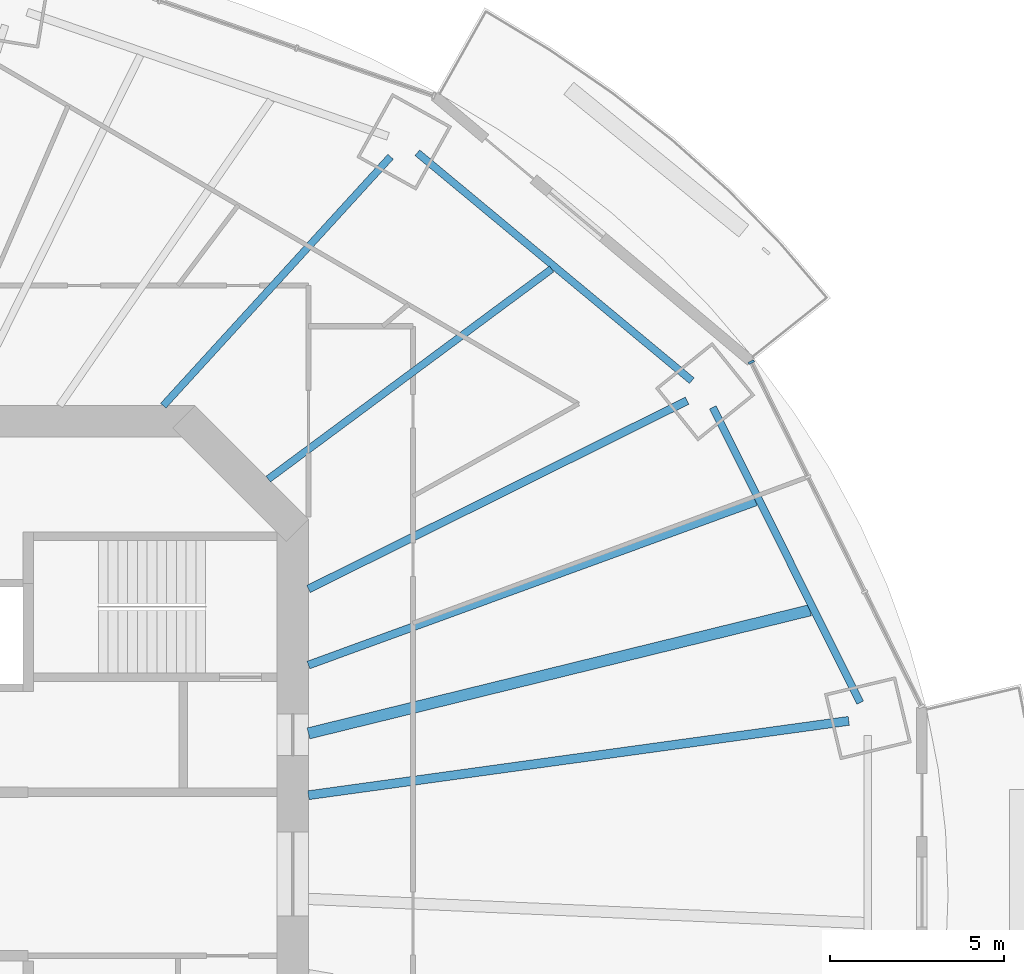
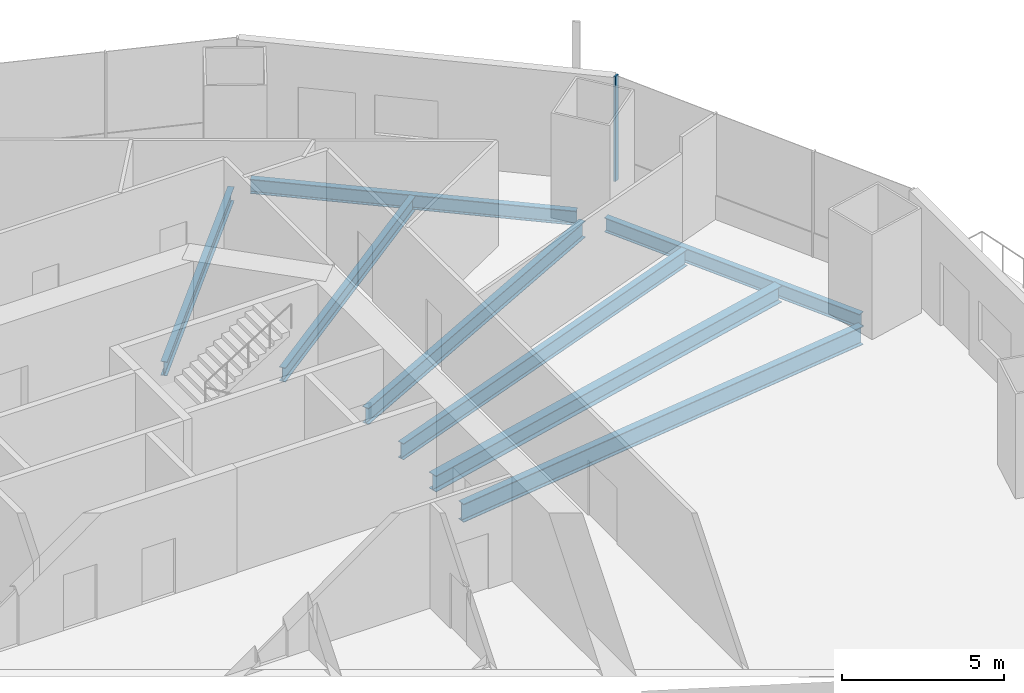
# One storey, part 8 of 21: 8 beams, 1 member, 1 element without a shape of its own.
"""IFC4 building model written with IfcOpenShell, lengths in metres."""

from ifc_helpers import new_model, si_unit, direction, frame, origin, origin_2d, place, context, subcontext, project, spatial, rectangle, i_section, extrude, material, material_profile, profile_set, type_object, element, aggregate, save


model = new_model("IFC4")

# Units and contexts
model_context = context("Model", 3, precision=1e-05, world=origin(), true_north=direction((0.0, 1.0)))
body_context = subcontext(model_context, "Body", "Model", "MODEL_VIEW")
ifc_project = project(units=[si_unit("LENGTHUNIT", "METRE"), si_unit("AREAUNIT", "SQUARE_METRE"), si_unit("VOLUMEUNIT", "CUBIC_METRE"), si_unit("PLANEANGLEUNIT", "RADIAN"), si_unit("MASSUNIT", "GRAM", prefix="KILO")], contexts=[model_context])

# Site, building, storey
site_placement = place(None, origin())
site = spatial("IfcSite", under=ifc_project, at=site_placement, CompositionType="ELEMENT")
building_placement = place(site_placement, origin())
building = spatial("IfcBuilding", under=site, at=building_placement, Name="Marenthal Gate Tower", CompositionType="ELEMENT")
storey_placement = place(building_placement, frame((0.0, 0.0, 161.050048828125)))
storey = spatial("IfcBuildingStorey", under=building, at=storey_placement, Name="L34", CompositionType="ELEMENT", Elevation=161.050048828125)

# Curtain wall, member
ifc_material_1 = material(Name="Aluminium and glass", Category="aluminium")
curtain_wall_type = type_object("IfcCurtainWallType", Name="Curtain wall typical mid", PredefinedType="NOTDEFINED", material=ifc_material_1)
curtain_wall_placement = place(storey_placement, origin())
curtain_wall = element("IfcCurtainWall", 1, at=curtain_wall_placement, inside=storey, type_object=curtain_wall_type, Name="Curtain wall L34 bay 1", PredefinedType="NOTDEFINED")
ifc_material_2 = material(Name="Aluminium", Category="aluminium")
ifc_material_profile_1 = material_profile(ifc_material_2, rectangle(XDim=0.179931640625, YDim=0.06005859375, at=origin_2d()), Name="60x180 aluminium mullion")
ifc_profile_set_1 = profile_set([ifc_material_profile_1], Name="Aluminium")
member_type = type_object("IfcMemberType", Name="Mullion 60x180 typical mid", PredefinedType="MULLION", material=ifc_profile_set_1)
member_placement = place(storey_placement, frame((29.167724609375, 14.702392578125, 0.0), z_axis=(0.0, 0.0, 1.0), x_axis=(-0.896608747182, -0.442823615536, 0.0)))
member = element("IfcMember", 2, at=member_placement, type_object=member_type, Name="Mullion L34 bay 1.4", PredefinedType="MULLION", context=body_context, shape_type="SweptSolid", body=[
    extrude(rectangle(XDim=0.179931640625, YDim=0.06005859375, at=origin_2d()), origin(), (0.0, 0.0, 1.0), 3.969970703125),
])
aggregate(curtain_wall, [member])

# Beams
ifc_material_3 = material(Name="Steel S355", Category="steel")
ifc_material_profile_2 = material_profile(ifc_material_3, i_section(OverallWidth=0.2099609375, OverallDepth=0.535888671875, WebThickness=0.010986328125, FlangeThickness=0.017333984375, FilletRadius=0.0126953125, at=origin_2d()), Name="W530X101")
ifc_profile_set_2 = profile_set([ifc_material_profile_2], Name="Steel S355")
beam_type_1 = type_object("IfcBeamType", Name="W530X101 beam", PredefinedType="BEAM", material=ifc_profile_set_2)
beam_1_placement = place(storey_placement, frame((18.809326171875, 20.600341796875, -0.447998046875), z_axis=(-0.674280125506, -0.738475668081, 0.0), x_axis=(0.738475668081, -0.674280125506, 0.0)))
element("IfcBeam", 3, at=beam_1_placement, inside=storey, type_object=beam_type_1, Name="BM-L34-03", PredefinedType="BEAM", context=body_context, shape_type="SweptSolid", body=[
    extrude(i_section(OverallWidth=0.2099609375, OverallDepth=0.535888671875, WebThickness=0.010986328125, FlangeThickness=0.017333984375, FilletRadius=0.0126953125, at=origin_2d()), origin(), (0.0, 0.0, 1.0), 9.6826171875),
])
beam_2_placement = place(storey_placement, frame((23.4326171875, 17.374755859375, -0.447998046875), z_axis=(-0.803267636897, -0.595618253174, 0.0), x_axis=(0.595618253174, -0.803267636897, 0.0)))
element("IfcBeam", 4, at=beam_2_placement, inside=storey, type_object=beam_type_1, Name="BM-L34-19", PredefinedType="BEAM", context=body_context, shape_type="SweptSolid", body=[
    extrude(i_section(OverallWidth=0.2099609375, OverallDepth=0.535888671875, WebThickness=0.010986328125, FlangeThickness=0.017333984375, FilletRadius=0.0126953125, at=origin_2d()), origin(), (0.0, 0.0, 1.0), 10.130126953125),
])
ifc_material_4 = material(Name="Steel S355", Category="steel")
ifc_material_profile_3 = material_profile(ifc_material_4, i_section(OverallWidth=0.2119140625, OverallDepth=0.5439453125, WebThickness=0.01318359375, FlangeThickness=0.021240234375, FilletRadius=0.0126953125, at=origin_2d()), Name="W530X123")
ifc_profile_set_3 = profile_set([ifc_material_profile_3], Name="Steel S355")
beam_type_2 = type_object("IfcBeamType", Name="W530X123 beam", PredefinedType="BEAM", material=ifc_profile_set_3)
beam_3_placement = place(storey_placement, frame((32.293701171875, 4.9228515625, -0.4521484375), z_axis=(-0.446296506962, 0.894885147868, 0.0), x_axis=(-0.894885147868, -0.446296506962, 0.0)))
element("IfcBeam", 5, at=beam_3_placement, inside=storey, type_object=beam_type_2, Name="BM-L34-41", PredefinedType="BEAM", context=body_context, shape_type="SweptSolid", body=[
    extrude(i_section(OverallWidth=0.2119140625, OverallDepth=0.5439453125, WebThickness=0.01318359375, FlangeThickness=0.021240234375, FilletRadius=0.0126953125, at=origin_2d()), origin(), (0.0, 0.0, 1.0), 9.4794921875),
])
beam_4_placement = place(storey_placement, frame((27.460205078125, 14.16748046875, -0.4521484375), z_axis=(-0.769269111774, 0.638924904563, 0.0), x_axis=(-0.638924904563, -0.769269111774, 0.0)))
element("IfcBeam", 6, at=beam_4_placement, inside=storey, type_object=beam_type_2, Name="BM-L34-42", PredefinedType="BEAM", context=body_context, shape_type="SweptSolid", body=[
    extrude(i_section(OverallWidth=0.2119140625, OverallDepth=0.5439453125, WebThickness=0.01318359375, FlangeThickness=0.021240234375, FilletRadius=0.0126953125, at=origin_2d()), origin(), (0.0, 0.0, 1.0), 10.24560546875),
])
ifc_material_5 = material(Name="Steel S355", Category="steel")
ifc_material_profile_4 = material_profile(ifc_material_5, i_section(OverallWidth=0.22900390625, OverallDepth=0.612060546875, WebThickness=0.011962890625, FlangeThickness=0.01953125, FilletRadius=0.0126953125, at=origin_2d()), Name="W610X125")
ifc_profile_set_4 = profile_set([ifc_material_profile_4], Name="Steel S355")
beam_type_3 = type_object("IfcBeamType", Name="W610X125 beam", PredefinedType="BEAM", material=ifc_profile_set_4)
beam_5_placement = place(storey_placement, frame((27.326171875, 13.595458984375, -0.486083984375), z_axis=(-0.895313726345, -0.445436113733, 0.0), x_axis=(0.445436113733, -0.895313726345, 0.0)))
element("IfcBeam", 7, at=beam_5_placement, inside=storey, type_object=beam_type_3, Name="BM-L34-02", PredefinedType="BEAM", context=body_context, shape_type="SweptSolid", body=[
    extrude(i_section(OverallWidth=0.22900390625, OverallDepth=0.612060546875, WebThickness=0.011962890625, FlangeThickness=0.01953125, FilletRadius=0.0126953125, at=origin_2d()), origin(), (0.0, 0.0, 1.0), 12.14794921875),
])
beam_6_placement = place(storey_placement, frame((29.29931640625, 10.689208984375, -0.486083984375), z_axis=(-0.939434876247, -0.34272746212, 0.0), x_axis=(0.34272746212, -0.939434876247, 0.0)))
element("IfcBeam", 8, at=beam_6_placement, inside=storey, type_object=beam_type_3, Name="BM-L34-18", PredefinedType="BEAM", context=body_context, shape_type="SweptSolid", body=[
    extrude(i_section(OverallWidth=0.22900390625, OverallDepth=0.612060546875, WebThickness=0.011962890625, FlangeThickness=0.01953125, FilletRadius=0.0126953125, at=origin_2d()), origin(), (0.0, 0.0, 1.0), 13.677734375),
])
ifc_material_6 = material(Name="Steel S355", Category="steel")
ifc_material_profile_5 = material_profile(ifc_material_6, i_section(OverallWidth=0.324951171875, OverallDepth=0.612060546875, WebThickness=0.0126953125, FlangeThickness=0.01904296875, FilletRadius=0.0126953125, at=origin_2d()), Name="W610X155")
ifc_profile_set_5 = profile_set([ifc_material_profile_5], Name="Steel S355")
beam_type_4 = type_object("IfcBeamType", Name="W610X155 beam", PredefinedType="BEAM", material=ifc_profile_set_5)
beam_7_placement = place(storey_placement, frame((30.852783203125, 7.574462890625, -0.486083984375), z_axis=(-0.971162172904, -0.238419868973, 0.0), x_axis=(0.238419868973, -0.971162172904, 0.0)))
element("IfcBeam", 9, at=beam_7_placement, inside=storey, type_object=beam_type_4, Name="BM-L34-17", PredefinedType="BEAM", context=body_context, shape_type="SweptSolid", body=[
    extrude(i_section(OverallWidth=0.324951171875, OverallDepth=0.612060546875, WebThickness=0.0126953125, FlangeThickness=0.01904296875, FilletRadius=0.0126953125, at=origin_2d()), origin(), (0.0, 0.0, 1.0), 14.83056640625),
])
ifc_material_7 = material(Name="Steel S355", Category="steel")
ifc_material_profile_6 = material_profile(ifc_material_7, i_section(OverallWidth=0.257080078125, OverallDepth=0.693115234375, WebThickness=0.014404296875, FlangeThickness=0.023681640625, FilletRadius=0.015380859375, at=origin_2d()), Name="W690X170")
ifc_profile_set_6 = profile_set([ifc_material_profile_6], Name="Steel S355")
beam_type_5 = type_object("IfcBeamType", Name="W690X170 beam", PredefinedType="BEAM", material=ifc_profile_set_6)
beam_8_placement = place(storey_placement, frame((31.96728515625, 4.39892578125, -0.526611328125), z_axis=(-0.990664873443, -0.136319875755, 0.0), x_axis=(0.136319875755, -0.990664873443, 0.0)))
element("IfcBeam", 10, at=beam_8_placement, inside=storey, type_object=beam_type_5, Name="BM-L34-01", PredefinedType="BEAM", context=body_context, shape_type="SweptSolid", body=[
    extrude(i_section(OverallWidth=0.257080078125, OverallDepth=0.693115234375, WebThickness=0.014404296875, FlangeThickness=0.023681640625, FilletRadius=0.015380859375, at=origin_2d()), origin(), (0.0, 0.0, 1.0), 15.66357421875),
])

save(model, "model.ifc")
